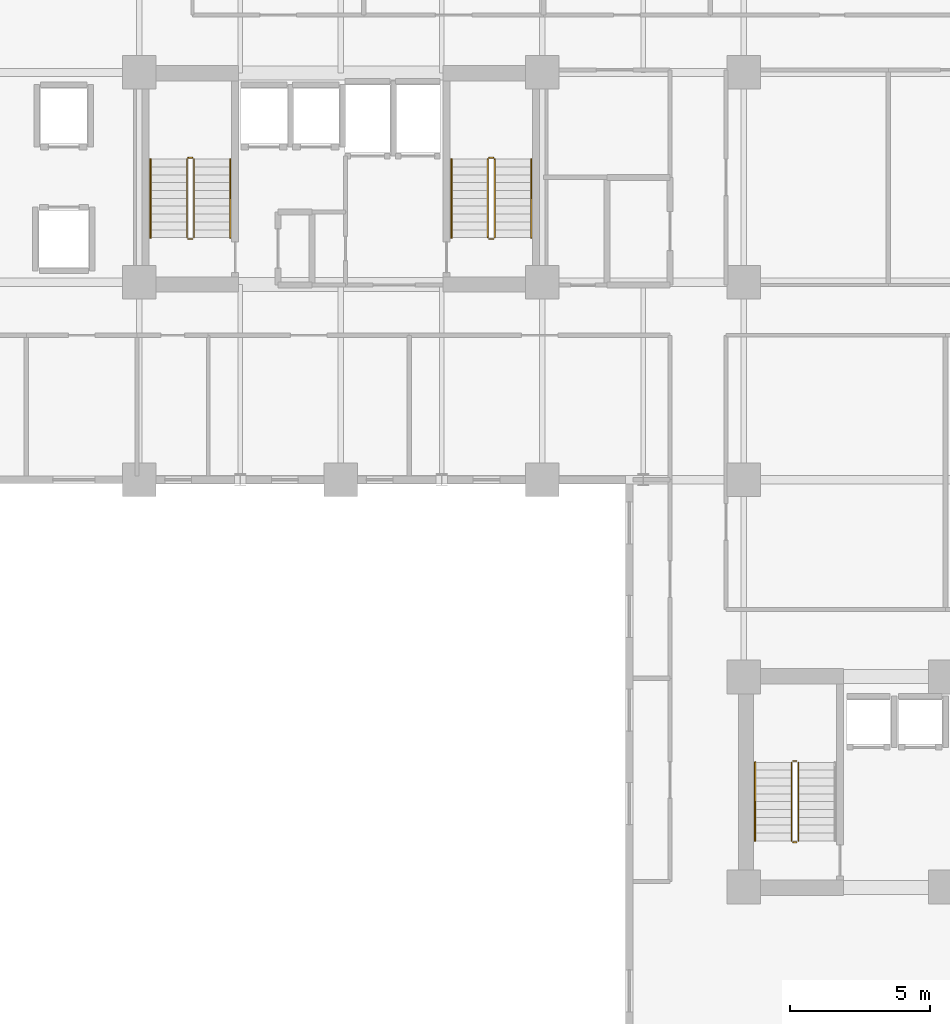
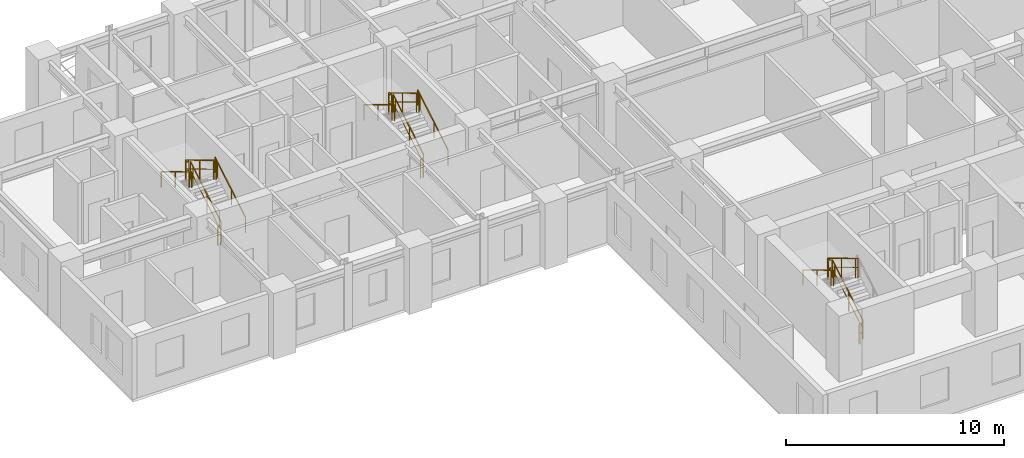
# One storey, part 9 of 11: 17 railings.
"""IFC4 building model written with IfcOpenShell, lengths in metres."""

from ifc_helpers import new_model, si_unit, direction, frame, origin, origin_2d, place, context, subcontext, project, spatial, rectangle, extrude, material, type_object, element, save


model = new_model("IFC4")

# Units and contexts
model_context = context("Model", 3, precision=1e-05, world=origin(), true_north=direction((0.0, 1.0)))
body_context = subcontext(model_context, "Body", "Model", "MODEL_VIEW")
ifc_project = project(units=[si_unit("LENGTHUNIT", "METRE"), si_unit("AREAUNIT", "SQUARE_METRE"), si_unit("VOLUMEUNIT", "CUBIC_METRE"), si_unit("PLANEANGLEUNIT", "RADIAN"), si_unit("MASSUNIT", "GRAM", prefix="KILO")], contexts=[model_context])

# Site, building, storey
site_placement = place(None, origin())
site = spatial("IfcSite", under=ifc_project, at=site_placement, CompositionType="ELEMENT")
building_placement = place(site_placement, origin())
building = spatial("IfcBuilding", under=site, at=building_placement, Name="Kaliganga Portal Commons", CompositionType="ELEMENT")
storey_placement = place(building_placement, frame((0.0, 0.0, 115.60009765625)))
storey = spatial("IfcBuildingStorey", under=building, at=storey_placement, Name="L29", CompositionType="ELEMENT", Elevation=115.60009765625)

# Railings
ifc_material_1 = material(Name="Galvanized Painted Steel Balustrade", Category="steel")
railing_type_1 = type_object("IfcRailingType", Name="RLG-STAIR-GRD", PredefinedType="GUARDRAIL", material=ifc_material_1)
railing_1_placement = place(storey_placement, frame((16.35009765625, 30.25, 0.16796875)))
element("IfcRailing", 1, at=railing_1_placement, inside=storey, type_object=railing_type_1, Name="L29 ST-A1 stair guard 1", PredefinedType="GUARDRAIL", context=body_context, shape_type="SweptSolid", body=[
    extrude(rectangle(XDim=0.048095703125, YDim=0.048095703125, at=origin_2d()), frame((0.0, 0.0, 1.072021484375), z_axis=(0.0, 0.857242210791, 0.514913383045), x_axis=(-1.0, 0.0, 0.0)), (0.0, 0.0, 1.0), 3.266357421875),
    extrude(rectangle(XDim=0.028076171875, YDim=0.028076171875, at=origin_2d()), frame((0.0, 0.0, 0.572021484375), z_axis=(0.0, 0.857242210791, 0.514913383045), x_axis=(-1.0, 0.0, 0.0)), (0.0, 0.0, 1.0), 3.266357421875),
    extrude(rectangle(XDim=0.0419921875, YDim=0.0419921875, at=origin_2d()), origin(), (0.0, 0.0, 1.0), 1.052001953125),
    extrude(rectangle(XDim=0.0419921875, YDim=0.0419921875, at=origin_2d()), frame((0.0, 1.285888671875, 0.7724609375)), (0.0, 0.0, 1.0), 1.052001953125),
    extrude(rectangle(XDim=0.0419921875, YDim=0.0419921875, at=origin_2d()), frame((0.0, 2.57177734375, 1.544677734375)), (0.0, 0.0, 1.0), 1.052001953125),
    extrude(rectangle(XDim=0.0419921875, YDim=0.0419921875, at=origin_2d()), frame((0.0, 2.800048828125, 1.681884765625)), (0.0, 0.0, 1.0), 1.052001953125),
])
railing_2_placement = place(storey_placement, frame((16.300048828125, 33.10009765625, 1.849853515625)))
element("IfcRailing", 2, at=railing_2_placement, inside=storey, type_object=railing_type_1, Name="L29 ST-A1 stair guard 2", PredefinedType="GUARDRAIL", context=body_context, shape_type="SweptSolid", body=[
    extrude(rectangle(XDim=0.048095703125, YDim=0.048095703125, at=origin_2d()), frame((0.0, 0.0, 1.076171875), z_axis=(-1.0, 0.0, 0.0), x_axis=(0.0, -1.0, 0.0)), (0.0, 0.0, 1.0), 0.150146484375),
    extrude(rectangle(XDim=0.028076171875, YDim=0.028076171875, at=origin_2d()), frame((0.0, 0.0, 0.572021484375), z_axis=(-1.0, 0.0, 0.0), x_axis=(0.0, -1.0, 0.0)), (0.0, 0.0, 1.0), 0.150146484375),
    extrude(rectangle(XDim=0.0419921875, YDim=0.0419921875, at=origin_2d()), origin(), (0.0, 0.0, 1.0), 1.052001953125),
    extrude(rectangle(XDim=0.0419921875, YDim=0.0419921875, at=origin_2d()), frame((-0.150146484375, 0.0, 0.0)), (0.0, 0.0, 1.0), 1.052001953125),
])
railing_3_placement = place(storey_placement, frame((16.10009765625, 33.050048828125, 2.01806640625)))
element("IfcRailing", 3, at=railing_3_placement, inside=storey, type_object=railing_type_1, Name="L29 ST-A1 stair guard 3", PredefinedType="GUARDRAIL", context=body_context, shape_type="SweptSolid", body=[
    extrude(rectangle(XDim=0.048095703125, YDim=0.048095703125, at=origin_2d()), frame((0.0, 0.0, 1.072021484375), z_axis=(0.0, -0.857242210791, 0.514913383045), x_axis=(1.0, 0.0, 0.0)), (0.0, 0.0, 1.0), 3.266357421875),
    extrude(rectangle(XDim=0.028076171875, YDim=0.028076171875, at=origin_2d()), frame((0.0, 0.0, 0.572021484375), z_axis=(0.0, -0.857242210791, 0.514913383045), x_axis=(1.0, 0.0, 0.0)), (0.0, 0.0, 1.0), 3.266357421875),
    extrude(rectangle(XDim=0.0419921875, YDim=0.0419921875, at=origin_2d()), origin(), (0.0, 0.0, 1.0), 1.052001953125),
    extrude(rectangle(XDim=0.0419921875, YDim=0.0419921875, at=origin_2d()), frame((0.0, -1.285888671875, 0.7724609375)), (0.0, 0.0, 1.0), 1.052001953125),
    extrude(rectangle(XDim=0.0419921875, YDim=0.0419921875, at=origin_2d()), frame((0.0, -2.57177734375, 1.544677734375)), (0.0, 0.0, 1.0), 1.052001953125),
    extrude(rectangle(XDim=0.0419921875, YDim=0.0419921875, at=origin_2d()), frame((0.0, -2.800048828125, 1.681884765625)), (0.0, 0.0, 1.0), 1.052001953125),
])
railing_4_placement = place(storey_placement, frame((16.300048828125, 30.199951171875, 0.0)))
element("IfcRailing", 4, at=railing_4_placement, inside=storey, type_object=railing_type_1, Name="L29 ST-A1 stair guard 4", PredefinedType="GUARDRAIL", context=body_context, shape_type="SweptSolid", body=[
    extrude(rectangle(XDim=0.048095703125, YDim=0.048095703125, at=origin_2d()), frame((0.0, 0.0, 1.076171875), z_axis=(-1.0, 0.0, 0.0), x_axis=(0.0, -1.0, 0.0)), (0.0, 0.0, 1.0), 0.150146484375),
    extrude(rectangle(XDim=0.028076171875, YDim=0.028076171875, at=origin_2d()), frame((0.0, 0.0, 0.572021484375), z_axis=(-1.0, 0.0, 0.0), x_axis=(0.0, -1.0, 0.0)), (0.0, 0.0, 1.0), 0.150146484375),
    extrude(rectangle(XDim=0.0419921875, YDim=0.0419921875, at=origin_2d()), origin(), (0.0, 0.0, 1.0), 1.052001953125),
    extrude(rectangle(XDim=0.0419921875, YDim=0.0419921875, at=origin_2d()), frame((-0.150146484375, 0.0, 0.0)), (0.0, 0.0, 1.0), 1.052001953125),
])
railing_5_placement = place(storey_placement, frame((27.10009765625, 30.25, 0.16796875)))
element("IfcRailing", 5, at=railing_5_placement, inside=storey, type_object=railing_type_1, Name="L29 ST-A2 stair guard 1", PredefinedType="GUARDRAIL", context=body_context, shape_type="SweptSolid", body=[
    extrude(rectangle(XDim=0.048095703125, YDim=0.048095703125, at=origin_2d()), frame((0.0, 0.0, 1.072021484375), z_axis=(0.0, 0.857242210791, 0.514913383045), x_axis=(-1.0, 0.0, 0.0)), (0.0, 0.0, 1.0), 3.266357421875),
    extrude(rectangle(XDim=0.028076171875, YDim=0.028076171875, at=origin_2d()), frame((0.0, 0.0, 0.572021484375), z_axis=(0.0, 0.857242210791, 0.514913383045), x_axis=(-1.0, 0.0, 0.0)), (0.0, 0.0, 1.0), 3.266357421875),
    extrude(rectangle(XDim=0.0419921875, YDim=0.0419921875, at=origin_2d()), origin(), (0.0, 0.0, 1.0), 1.052001953125),
    extrude(rectangle(XDim=0.0419921875, YDim=0.0419921875, at=origin_2d()), frame((0.0, 1.285888671875, 0.7724609375)), (0.0, 0.0, 1.0), 1.052001953125),
    extrude(rectangle(XDim=0.0419921875, YDim=0.0419921875, at=origin_2d()), frame((0.0, 2.57177734375, 1.544677734375)), (0.0, 0.0, 1.0), 1.052001953125),
    extrude(rectangle(XDim=0.0419921875, YDim=0.0419921875, at=origin_2d()), frame((0.0, 2.800048828125, 1.681884765625)), (0.0, 0.0, 1.0), 1.052001953125),
])
railing_6_placement = place(storey_placement, frame((27.050048828125, 33.10009765625, 1.849853515625)))
element("IfcRailing", 6, at=railing_6_placement, inside=storey, type_object=railing_type_1, Name="L29 ST-A2 stair guard 2", PredefinedType="GUARDRAIL", context=body_context, shape_type="SweptSolid", body=[
    extrude(rectangle(XDim=0.048095703125, YDim=0.048095703125, at=origin_2d()), frame((0.0, 0.0, 1.076171875), z_axis=(-1.0, 0.0, 0.0), x_axis=(0.0, -1.0, 0.0)), (0.0, 0.0, 1.0), 0.150146484375),
    extrude(rectangle(XDim=0.028076171875, YDim=0.028076171875, at=origin_2d()), frame((0.0, 0.0, 0.572021484375), z_axis=(-1.0, 0.0, 0.0), x_axis=(0.0, -1.0, 0.0)), (0.0, 0.0, 1.0), 0.150146484375),
    extrude(rectangle(XDim=0.0419921875, YDim=0.0419921875, at=origin_2d()), origin(), (0.0, 0.0, 1.0), 1.052001953125),
    extrude(rectangle(XDim=0.0419921875, YDim=0.0419921875, at=origin_2d()), frame((-0.150146484375, 0.0, 0.0)), (0.0, 0.0, 1.0), 1.052001953125),
])
railing_7_placement = place(storey_placement, frame((26.85009765625, 33.050048828125, 2.01806640625)))
element("IfcRailing", 7, at=railing_7_placement, inside=storey, type_object=railing_type_1, Name="L29 ST-A2 stair guard 3", PredefinedType="GUARDRAIL", context=body_context, shape_type="SweptSolid", body=[
    extrude(rectangle(XDim=0.048095703125, YDim=0.048095703125, at=origin_2d()), frame((0.0, 0.0, 1.072021484375), z_axis=(0.0, -0.857242210791, 0.514913383045), x_axis=(1.0, 0.0, 0.0)), (0.0, 0.0, 1.0), 3.266357421875),
    extrude(rectangle(XDim=0.028076171875, YDim=0.028076171875, at=origin_2d()), frame((0.0, 0.0, 0.572021484375), z_axis=(0.0, -0.857242210791, 0.514913383045), x_axis=(1.0, 0.0, 0.0)), (0.0, 0.0, 1.0), 3.266357421875),
    extrude(rectangle(XDim=0.0419921875, YDim=0.0419921875, at=origin_2d()), origin(), (0.0, 0.0, 1.0), 1.052001953125),
    extrude(rectangle(XDim=0.0419921875, YDim=0.0419921875, at=origin_2d()), frame((0.0, -1.285888671875, 0.7724609375)), (0.0, 0.0, 1.0), 1.052001953125),
    extrude(rectangle(XDim=0.0419921875, YDim=0.0419921875, at=origin_2d()), frame((0.0, -2.57177734375, 1.544677734375)), (0.0, 0.0, 1.0), 1.052001953125),
    extrude(rectangle(XDim=0.0419921875, YDim=0.0419921875, at=origin_2d()), frame((0.0, -2.800048828125, 1.681884765625)), (0.0, 0.0, 1.0), 1.052001953125),
])
railing_8_placement = place(storey_placement, frame((27.050048828125, 30.199951171875, 0.0)))
element("IfcRailing", 8, at=railing_8_placement, inside=storey, type_object=railing_type_1, Name="L29 ST-A2 stair guard 4", PredefinedType="GUARDRAIL", context=body_context, shape_type="SweptSolid", body=[
    extrude(rectangle(XDim=0.048095703125, YDim=0.048095703125, at=origin_2d()), frame((0.0, 0.0, 1.076171875), z_axis=(-1.0, 0.0, 0.0), x_axis=(0.0, -1.0, 0.0)), (0.0, 0.0, 1.0), 0.150146484375),
    extrude(rectangle(XDim=0.028076171875, YDim=0.028076171875, at=origin_2d()), frame((0.0, 0.0, 0.572021484375), z_axis=(-1.0, 0.0, 0.0), x_axis=(0.0, -1.0, 0.0)), (0.0, 0.0, 1.0), 0.150146484375),
    extrude(rectangle(XDim=0.0419921875, YDim=0.0419921875, at=origin_2d()), origin(), (0.0, 0.0, 1.0), 1.052001953125),
    extrude(rectangle(XDim=0.0419921875, YDim=0.0419921875, at=origin_2d()), frame((-0.150146484375, 0.0, 0.0)), (0.0, 0.0, 1.0), 1.052001953125),
])
railing_9_placement = place(storey_placement, frame((37.949951171875, 8.699951171875, 0.16796875)))
element("IfcRailing", 9, at=railing_9_placement, inside=storey, type_object=railing_type_1, Name="L29 ST-B1 stair guard 1", PredefinedType="GUARDRAIL", context=body_context, shape_type="SweptSolid", body=[
    extrude(rectangle(XDim=0.048095703125, YDim=0.048095703125, at=origin_2d()), frame((0.0, 0.0, 1.072021484375), z_axis=(0.0, 0.857242210791, 0.514913383045), x_axis=(-1.0, 0.0, 0.0)), (0.0, 0.0, 1.0), 3.266357421875),
    extrude(rectangle(XDim=0.028076171875, YDim=0.028076171875, at=origin_2d()), frame((0.0, 0.0, 0.572021484375), z_axis=(0.0, 0.857242210791, 0.514913383045), x_axis=(-1.0, 0.0, 0.0)), (0.0, 0.0, 1.0), 3.266357421875),
    extrude(rectangle(XDim=0.0419921875, YDim=0.0419921875, at=origin_2d()), origin(), (0.0, 0.0, 1.0), 1.052001953125),
    extrude(rectangle(XDim=0.0419921875, YDim=0.0419921875, at=origin_2d()), frame((0.0, 1.285888671875, 0.7724609375)), (0.0, 0.0, 1.0), 1.052001953125),
    extrude(rectangle(XDim=0.0419921875, YDim=0.0419921875, at=origin_2d()), frame((0.0, 2.57177734375, 1.544677734375)), (0.0, 0.0, 1.0), 1.052001953125),
    extrude(rectangle(XDim=0.0419921875, YDim=0.0419921875, at=origin_2d()), frame((0.0, 2.800048828125, 1.681884765625)), (0.0, 0.0, 1.0), 1.052001953125),
])
railing_10_placement = place(storey_placement, frame((37.89990234375, 11.550048828125, 1.849853515625)))
element("IfcRailing", 10, at=railing_10_placement, inside=storey, type_object=railing_type_1, Name="L29 ST-B1 stair guard 2", PredefinedType="GUARDRAIL", context=body_context, shape_type="SweptSolid", body=[
    extrude(rectangle(XDim=0.048095703125, YDim=0.048095703125, at=origin_2d()), frame((0.0, 0.0, 1.076171875), z_axis=(-1.0, 0.0, 0.0), x_axis=(0.0, -1.0, 0.0)), (0.0, 0.0, 1.0), 0.14990234375),
    extrude(rectangle(XDim=0.028076171875, YDim=0.028076171875, at=origin_2d()), frame((0.0, 0.0, 0.572021484375), z_axis=(-1.0, 0.0, 0.0), x_axis=(0.0, -1.0, 0.0)), (0.0, 0.0, 1.0), 0.14990234375),
    extrude(rectangle(XDim=0.0419921875, YDim=0.0419921875, at=origin_2d()), frame((-0.14990234375, 0.0, 0.0)), (0.0, 0.0, 1.0), 1.052001953125),
])
railing_11_placement = place(storey_placement, frame((37.699951171875, 11.5, 2.01806640625)))
element("IfcRailing", 11, at=railing_11_placement, inside=storey, type_object=railing_type_1, Name="L29 ST-B1 stair guard 3", PredefinedType="GUARDRAIL", context=body_context, shape_type="SweptSolid", body=[
    extrude(rectangle(XDim=0.048095703125, YDim=0.048095703125, at=origin_2d()), frame((0.0, 0.0, 1.072021484375), z_axis=(0.0, -0.857242210791, 0.514913383045), x_axis=(1.0, 0.0, 0.0)), (0.0, 0.0, 1.0), 3.266357421875),
    extrude(rectangle(XDim=0.028076171875, YDim=0.028076171875, at=origin_2d()), frame((0.0, 0.0, 0.572021484375), z_axis=(0.0, -0.857242210791, 0.514913383045), x_axis=(1.0, 0.0, 0.0)), (0.0, 0.0, 1.0), 3.266357421875),
    extrude(rectangle(XDim=0.0419921875, YDim=0.0419921875, at=origin_2d()), origin(), (0.0, 0.0, 1.0), 1.052001953125),
    extrude(rectangle(XDim=0.0419921875, YDim=0.0419921875, at=origin_2d()), frame((0.0, -1.285888671875, 0.7724609375)), (0.0, 0.0, 1.0), 1.052001953125),
    extrude(rectangle(XDim=0.0419921875, YDim=0.0419921875, at=origin_2d()), frame((0.0, -2.57177734375, 1.544677734375)), (0.0, 0.0, 1.0), 1.052001953125),
    extrude(rectangle(XDim=0.0419921875, YDim=0.0419921875, at=origin_2d()), frame((0.0, -2.800048828125, 1.681884765625)), (0.0, 0.0, 1.0), 1.052001953125),
])
railing_12_placement = place(storey_placement, frame((37.89990234375, 8.64990234375, 0.0)))
element("IfcRailing", 12, at=railing_12_placement, inside=storey, type_object=railing_type_1, Name="L29 ST-B1 stair guard 4", PredefinedType="GUARDRAIL", context=body_context, shape_type="SweptSolid", body=[
    extrude(rectangle(XDim=0.048095703125, YDim=0.048095703125, at=origin_2d()), frame((0.0, 0.0, 1.076171875), z_axis=(-1.0, 0.0, 0.0), x_axis=(0.0, -1.0, 0.0)), (0.0, 0.0, 1.0), 0.14990234375),
    extrude(rectangle(XDim=0.028076171875, YDim=0.028076171875, at=origin_2d()), frame((0.0, 0.0, 0.572021484375), z_axis=(-1.0, 0.0, 0.0), x_axis=(0.0, -1.0, 0.0)), (0.0, 0.0, 1.0), 0.14990234375),
    extrude(rectangle(XDim=0.0419921875, YDim=0.0419921875, at=origin_2d()), frame((-0.14990234375, 0.0, 0.0)), (0.0, 0.0, 1.0), 1.052001953125),
])
ifc_material_2 = material(Name="Brushed Stainless Steel 316", Category="steel")
railing_type_2 = type_object("IfcRailingType", Name="RLG-STAIR-HR", PredefinedType="HANDRAIL", material=ifc_material_2)
railing_13_placement = place(storey_placement, frame((17.64990234375, 30.25, 0.16796875)))
element("IfcRailing", 13, at=railing_13_placement, inside=storey, type_object=railing_type_2, Name="L29 ST-A1 stair handrail 1", PredefinedType="HANDRAIL", context=body_context, shape_type="SweptSolid", body=[
    extrude(rectangle(XDim=0.048095703125, YDim=0.048095703125, at=origin_2d()), frame((0.0, 0.0, 0.871826171875), z_axis=(0.0, 0.857242210791, 0.514913383045), x_axis=(-1.0, 0.0, 0.0)), (0.0, 0.0, 1.0), 3.266357421875),
    extrude(rectangle(XDim=0.0419921875, YDim=0.0419921875, at=origin_2d()), origin(), (0.0, 0.0, 1.0), 0.851806640625),
    extrude(rectangle(XDim=0.0419921875, YDim=0.0419921875, at=origin_2d()), frame((0.0, 1.285888671875, 0.7724609375)), (0.0, 0.0, 1.0), 0.851806640625),
    extrude(rectangle(XDim=0.0419921875, YDim=0.0419921875, at=origin_2d()), frame((0.0, 2.57177734375, 1.544677734375)), (0.0, 0.0, 1.0), 0.851806640625),
    extrude(rectangle(XDim=0.0419921875, YDim=0.0419921875, at=origin_2d()), frame((0.0, 2.800048828125, 1.681884765625)), (0.0, 0.0, 1.0), 0.851806640625),
])
railing_14_placement = place(storey_placement, frame((14.800048828125, 33.050048828125, 2.01806640625)))
element("IfcRailing", 14, at=railing_14_placement, inside=storey, type_object=railing_type_2, Name="L29 ST-A1 stair handrail 2", PredefinedType="HANDRAIL", context=body_context, shape_type="SweptSolid", body=[
    extrude(rectangle(XDim=0.048095703125, YDim=0.048095703125, at=origin_2d()), frame((0.0, 0.0, 0.871826171875), z_axis=(0.0, -0.857242210791, 0.514913383045), x_axis=(1.0, 0.0, 0.0)), (0.0, 0.0, 1.0), 3.266357421875),
    extrude(rectangle(XDim=0.0419921875, YDim=0.0419921875, at=origin_2d()), origin(), (0.0, 0.0, 1.0), 0.851806640625),
    extrude(rectangle(XDim=0.0419921875, YDim=0.0419921875, at=origin_2d()), frame((0.0, -1.285888671875, 0.7724609375)), (0.0, 0.0, 1.0), 0.851806640625),
    extrude(rectangle(XDim=0.0419921875, YDim=0.0419921875, at=origin_2d()), frame((0.0, -2.57177734375, 1.544677734375)), (0.0, 0.0, 1.0), 0.851806640625),
    extrude(rectangle(XDim=0.0419921875, YDim=0.0419921875, at=origin_2d()), frame((0.0, -2.800048828125, 1.681884765625)), (0.0, 0.0, 1.0), 0.851806640625),
])
railing_15_placement = place(storey_placement, frame((28.39990234375, 30.25, 0.16796875)))
element("IfcRailing", 15, at=railing_15_placement, inside=storey, type_object=railing_type_2, Name="L29 ST-A2 stair handrail 1", PredefinedType="HANDRAIL", context=body_context, shape_type="SweptSolid", body=[
    extrude(rectangle(XDim=0.048095703125, YDim=0.048095703125, at=origin_2d()), frame((0.0, 0.0, 0.871826171875), z_axis=(0.0, 0.857242210791, 0.514913383045), x_axis=(-1.0, 0.0, 0.0)), (0.0, 0.0, 1.0), 3.266357421875),
    extrude(rectangle(XDim=0.0419921875, YDim=0.0419921875, at=origin_2d()), origin(), (0.0, 0.0, 1.0), 0.851806640625),
    extrude(rectangle(XDim=0.0419921875, YDim=0.0419921875, at=origin_2d()), frame((0.0, 1.285888671875, 0.7724609375)), (0.0, 0.0, 1.0), 0.851806640625),
    extrude(rectangle(XDim=0.0419921875, YDim=0.0419921875, at=origin_2d()), frame((0.0, 2.57177734375, 1.544677734375)), (0.0, 0.0, 1.0), 0.851806640625),
    extrude(rectangle(XDim=0.0419921875, YDim=0.0419921875, at=origin_2d()), frame((0.0, 2.800048828125, 1.681884765625)), (0.0, 0.0, 1.0), 0.851806640625),
])
for number, where, name in (
    (16, (25.550048828125, 33.050048828125, 2.01806640625), "L29 ST-A2 stair handrail 2"),
    (17, (36.39990234375, 11.5, 2.01806640625), "L29 ST-B1 stair handrail 2"),
):
    element("IfcRailing", number, at=place(storey_placement, frame(where)), inside=storey, type_object=railing_type_2, Name=name, PredefinedType="HANDRAIL", context=body_context, shape_type="SweptSolid", body=[
        extrude(rectangle(XDim=0.048095703125, YDim=0.048095703125, at=origin_2d()), frame((0.0, 0.0, 0.871826171875), z_axis=(0.0, -0.857242210791, 0.514913383045), x_axis=(1.0, 0.0, 0.0)), (0.0, 0.0, 1.0), 3.266357421875),
        extrude(rectangle(XDim=0.0419921875, YDim=0.0419921875, at=origin_2d()), origin(), (0.0, 0.0, 1.0), 0.851806640625),
        extrude(rectangle(XDim=0.0419921875, YDim=0.0419921875, at=origin_2d()), frame((0.0, -1.285888671875, 0.7724609375)), (0.0, 0.0, 1.0), 0.851806640625),
        extrude(rectangle(XDim=0.0419921875, YDim=0.0419921875, at=origin_2d()), frame((0.0, -2.57177734375, 1.544677734375)), (0.0, 0.0, 1.0), 0.851806640625),
        extrude(rectangle(XDim=0.0419921875, YDim=0.0419921875, at=origin_2d()), frame((0.0, -2.800048828125, 1.681884765625)), (0.0, 0.0, 1.0), 0.851806640625),
    ])

save(model, "model.ifc")
